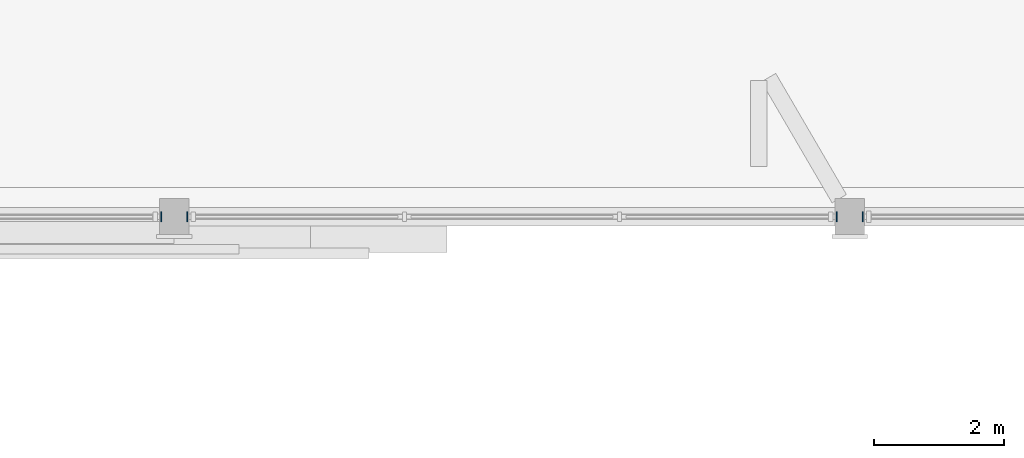
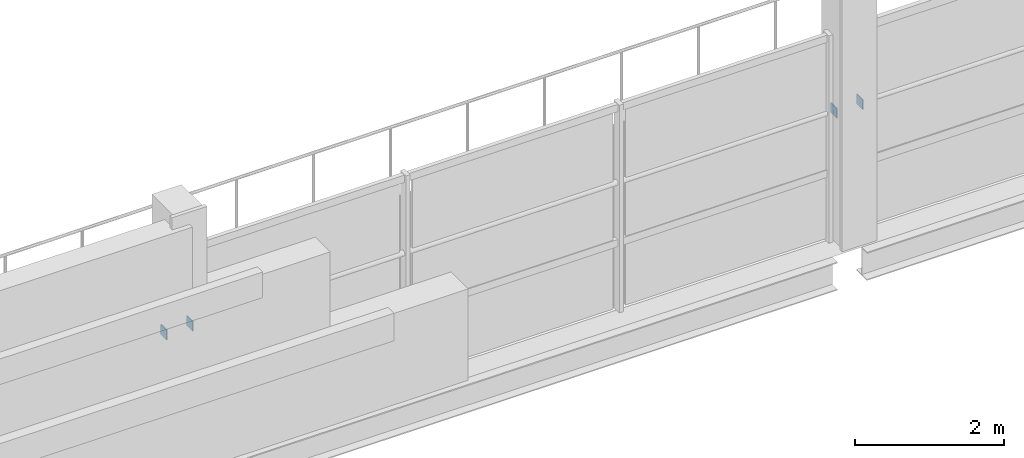
# One storey, part 41 of 85: 4 plates.
"""IFC4 building model written with IfcOpenShell, lengths in metres."""

import ifcopenshell
import ifcopenshell.guid

model = None  # the IFC model being written
_history = None  # IfcOwnerHistory: only IFC2X3 demands one
_inside = {}  # id of a spatial element -> (the spatial element, [elements in it])
_under = {}  # id of a project, library or spatial element -> (it, [spatial elements below it])
_declared = {}  # id of a project -> (the project, [libraries it declares])
_typed = {}  # id of a type object -> (the type object, [elements of that type])
_made_of = {}  # id of a material, layer set ... -> (it, [elements and type objects made of it])


def new_model(schema):
    """Start an empty IFC model of exactly this schema.

    Asked for "IFC4X3", IfcOpenShell would pick the latest addendum, in which some entities
    have other attributes; the version numbers below select the first issue.
    IFC2X3 requires an IfcOwnerHistory on every rooted entity: one is made here for all.
    """
    global model, _history
    if schema == "IFC4X3":
        model = ifcopenshell.file(schema_version=(4, 3, 0, 0))
    else:
        model = ifcopenshell.file(schema=schema)
    _inside.clear()
    _under.clear()
    _declared.clear()
    _typed.clear()
    _made_of.clear()
    _history = None
    if model.schema == "IFC2X3":
        org = make("IfcOrganization", Name="unknown")
        user = make(
            "IfcPersonAndOrganization",
            ThePerson=make("IfcPerson", FamilyName="unknown"),
            TheOrganization=org,
        )
        app = make(
            "IfcApplication",
            ApplicationDeveloper=org,
            Version="unknown",
            ApplicationFullName="unknown",
            ApplicationIdentifier="unknown",
        )
        _history = make(
            "IfcOwnerHistory",
            OwningUser=user,
            OwningApplication=app,
            ChangeAction="ADDED",
            CreationDate=0,
        )
    return model


def make(cls, **values):
    """One entity of the class cls with the attributes given. An attribute that is None is left unset."""
    return model.create_entity(
        cls, **{name: value for name, value in values.items() if value is not None}
    )


def rooted(cls, **values):
    """An entity with a GlobalId (a new one), such as an element, a storey or a relation."""
    return make(cls, GlobalId=ifcopenshell.guid.new(), OwnerHistory=_history, **values)


def si_unit(unit_type, name, prefix=None):
    """IfcSIUnit, for example si_unit("LENGTHUNIT", "METRE", prefix="MILLI")."""
    return make("IfcSIUnit", UnitType=unit_type, Prefix=prefix, Name=name)


def derived_unit(unit_type, elements):
    """IfcDerivedUnit: a product of units, each with its exponent."""
    return make(
        "IfcDerivedUnit",
        Elements=[
            make("IfcDerivedUnitElement", Unit=unit, Exponent=power)
            for unit, power in elements
        ],
        UnitType=unit_type,
    )


def assignment(units):
    """IfcUnitAssignment: the units of a project."""
    return None if units is None else make("IfcUnitAssignment", Units=units)


def point(xyz):
    """IfcCartesianPoint."""
    return None if xyz is None else make("IfcCartesianPoint", Coordinates=xyz)


def direction(xyz):
    """IfcDirection."""
    return None if xyz is None else make("IfcDirection", DirectionRatios=xyz)


def frame(location, z_axis=None, x_axis=None):
    """IfcAxis2Placement3D, a coordinate frame: its origin and axes. An axis left out is left unset."""
    return make(
        "IfcAxis2Placement3D",
        Location=point(location),
        Axis=direction(z_axis),
        RefDirection=direction(x_axis),
    )


def frame_2d(location, x_axis=None):
    """IfcAxis2Placement2D, a coordinate frame in the plane: its origin and x axis."""
    return make(
        "IfcAxis2Placement2D", Location=point(location), RefDirection=direction(x_axis)
    )


def origin():
    """The frame at (0, 0, 0) with its axes left unset."""
    return frame((0.0, 0.0, 0.0))


def origin_2d():
    """The frame at (0, 0) in the plane with its x axis left unset."""
    return frame_2d((0.0, 0.0))


def place(relative_to, where):
    """IfcLocalPlacement: puts the frame where relative to a parent placement (None: the world)."""
    return make(
        "IfcLocalPlacement", PlacementRelTo=relative_to, RelativePlacement=where
    )


def context(
    kind, dimensions, precision=None, world=None, true_north=None, identifier=None
):
    """IfcGeometricRepresentationContext, for example the 3D "Model" context."""
    return make(
        "IfcGeometricRepresentationContext",
        ContextIdentifier=identifier,
        ContextType=kind,
        CoordinateSpaceDimension=dimensions,
        Precision=precision,
        WorldCoordinateSystem=world,
        TrueNorth=true_north,
    )


def subcontext(parent, identifier, kind, view, scale=None):
    """IfcGeometricRepresentationSubContext, for example "Body" below "Model"."""
    return make(
        "IfcGeometricRepresentationSubContext",
        ContextIdentifier=identifier,
        ContextType=kind,
        ParentContext=parent,
        TargetScale=scale,
        TargetView=view,
    )


def project(units=None, contexts=None):
    """IfcProject with its units and contexts."""
    return rooted(
        "IfcProject",
        Name="project",
        RepresentationContexts=contexts,
        UnitsInContext=assignment(units),
    )


def spatial(cls, under=None, at=None, **own):
    """A site, building, storey or space (cls), placed at a placement, below another one or the project."""
    s = rooted(cls, ObjectPlacement=at, **own)
    if under is not None:
        _under.setdefault(under.id(), (under, []))[1].append(s)
    return s


def profile(cls, at=None, kind="AREA", **sizes):
    """A parametric profile (cls). Its sizes go by their IFC names, for example OverallWidth=200.0."""
    return make(cls, ProfileType=kind, Position=at, **sizes)


def rectangle(**sizes):
    """IfcRectangleProfileDef."""
    return profile("IfcRectangleProfileDef", **sizes)


def extrude(swept, where, along, depth):
    """IfcExtrudedAreaSolid: the profile swept, set in the frame where, extruded along a direction by depth."""
    return make(
        "IfcExtrudedAreaSolid",
        SweptArea=swept,
        Position=where,
        ExtrudedDirection=direction(along),
        Depth=depth,
    )


def shape(context_of_items, identifier, shape_type, items):
    """IfcShapeRepresentation: the items that make up one representation, for example the "Body"."""
    return make(
        "IfcShapeRepresentation",
        ContextOfItems=context_of_items,
        RepresentationIdentifier=identifier,
        RepresentationType=shape_type,
        Items=items,
    )


def material(Name=None, Category=None):
    """IfcMaterial."""
    return make("IfcMaterial", Name=Name, Category=Category)


def layer(
    of_material, thickness, ventilated=None, Name=None, Category=None, Priority=None
):
    """IfcMaterialLayer: one layer of a wall or slab, of a material (None: an air gap)."""
    return make(
        "IfcMaterialLayer",
        Material=of_material,
        LayerThickness=thickness,
        IsVentilated=ventilated,
        Name=Name,
        Category=Category,
        Priority=Priority,
    )


def layer_set(layers, Name=None):
    """IfcMaterialLayerSet."""
    return make("IfcMaterialLayerSet", MaterialLayers=layers, LayerSetName=Name)


def made_of(thing, what):
    """Note that an element or type object is made of a material, layer set ...; save() writes the relation."""
    if what is not None:
        _made_of.setdefault(what.id(), (what, []))[1].append(thing)
    return thing


def type_object(cls, material=None, **own):
    """A type object (cls), such as IfcWallType, which elements share."""
    return made_of(rooted(cls, **own), material)


def element(
    cls,
    number,
    at=None,
    inside=None,
    cuts=None,
    type_object=None,
    material=None,
    context=None,
    identifier="Body",
    shape_type=None,
    held_by="IfcProductDefinitionShape",
    body=None,
    shapes=None,
    **own,
):
    """One element of the class cls, such as IfcWall. Its Tag is "e" and its number.

    at: its placement. inside: the storey or other place that contains it. cuts: it is an
    opening in that element (IfcRelVoidsElement). A single representation is given by context,
    identifier, shape_type and body (its items); several are given by shapes. held_by: the class
    of the entity that holds the representations. save() writes the other relations.
    """
    e = rooted(cls, Tag="e%d" % number, ObjectPlacement=at, **own)
    if body is not None:
        shapes = [shape(context, identifier, shape_type, body)]
    if shapes is not None:
        e.Representation = make(held_by, Representations=shapes)
    if inside is not None:
        _inside.setdefault(inside.id(), (inside, []))[1].append(e)
    if cuts is not None:
        rooted(
            "IfcRelVoidsElement", RelatingBuildingElement=cuts, RelatedOpeningElement=e
        )
    if type_object is not None:
        _typed.setdefault(type_object.id(), (type_object, []))[1].append(e)
    return made_of(e, material)


def aggregate(whole, parts):
    """IfcRelAggregates: a whole, such as a stair, and the parts it consists of."""
    return rooted("IfcRelAggregates", RelatingObject=whole, RelatedObjects=parts)


def save(model, path):
    """Write the relations noted so far, then the file.

    IfcRelAggregates (storeys below a building ...), IfcRelContainedInSpatialStructure (elements
    in a storey), IfcRelDefinesByType, IfcRelAssociatesMaterial and IfcRelDeclares: one each for
    every whole, place, type object, material and project.
    """
    for whole, parts in _under.values():
        aggregate(whole, parts)
    for where, things in _inside.values():
        rooted(
            "IfcRelContainedInSpatialStructure",
            RelatedElements=things,
            RelatingStructure=where,
        )
    for kind, things in _typed.values():
        rooted("IfcRelDefinesByType", RelatedObjects=things, RelatingType=kind)
    for what, things in _made_of.values():
        rooted("IfcRelAssociatesMaterial", RelatedObjects=things, RelatingMaterial=what)
    for by, libraries in _declared.values():
        rooted("IfcRelDeclares", RelatingContext=by, RelatedDefinitions=libraries)
    model.write(path)


model = new_model("IFC4")

# Units and contexts
model_context = context("Model", 3, precision=1e-05, world=origin(), true_north=direction((0.0, 1.0)))
body_context = subcontext(model_context, "Body", "Model", "MODEL_VIEW")
ifc_project = project(units=[si_unit("LENGTHUNIT", "METRE"), si_unit("AREAUNIT", "SQUARE_METRE"), si_unit("VOLUMEUNIT", "CUBIC_METRE"), si_unit("PLANEANGLEUNIT", "RADIAN"), si_unit("MASSUNIT", "GRAM", prefix="KILO"), derived_unit("THERMALTRANSMITTANCEUNIT", [(si_unit("POWERUNIT", "WATT"), 1), (si_unit("LENGTHUNIT", "METRE"), -2), (si_unit("THERMODYNAMICTEMPERATUREUNIT", "KELVIN"), -1)])], contexts=[model_context])

# Site, building, storey
site_placement = place(None, origin())
site = spatial("IfcSite", under=ifc_project, at=site_placement, CompositionType="ELEMENT")
building_placement = place(site_placement, origin())
building = spatial("IfcBuilding", under=site, at=building_placement, Name="Braskholm Square Health Centre", CompositionType="ELEMENT")
storey_placement = place(building_placement, frame((0.0, 0.0, 9.300048828125)))
storey = spatial("IfcBuildingStorey", under=building, at=storey_placement, Name="L03", CompositionType="ELEMENT", Elevation=9.300048828125)

# Plates
ifc_material = material(Name="Steel ASTM A572 Grade 50", Category="steel")
ifc_layer = layer(ifc_material, 0.01611328125)
ifc_layer_set = layer_set([ifc_layer], Name="Steel ASTM A572 Grade 50")
plate_type = type_object("IfcPlateType", Name="CapPlateHSS152TN8", PredefinedType="USERDEFINED", material=ifc_layer_set)
for number, where, z_axis, x_axis, name in (
    (1, (88.998046875, 87.199951171875, 2.02001953125), (0.0, 0.0, 1.0), (1.0, 0.0, 0.0), "Hollow section end cap plate 0302"),
    (2, (89.402099609375, 87.199951171875, 2.02001953125), (0.0, 0.0, 1.0), (1.0, 0.0, 0.0), "Hollow section end cap plate 0309"),
    (3, (99.39794921875, 87.199951171875, 2.02001953125), (0.0, 0.0, 1.0), (1.0, 0.0, 0.0), "Hollow section end cap plate 0310"),
    (4, (99.802001953125, 87.199951171875, 2.02001953125), (0.0, 0.0, 1.0), (1.0, 0.0, 0.0), "Hollow section end cap plate 0317"),
):
    element("IfcPlate", number, at=place(storey_placement, frame(where, z_axis=z_axis, x_axis=x_axis)), inside=storey, type_object=plate_type, Name=name, ObjectType="CAP_PLATE", PredefinedType="USERDEFINED", context=body_context, shape_type="SweptSolid", body=[
        extrude(rectangle(XDim=0.01611328125, YDim=0.159912109375, at=origin_2d()), origin(), (0.0, 0.0, 1.0), 0.159912109375),
    ])

save(model, "model.ifc")
